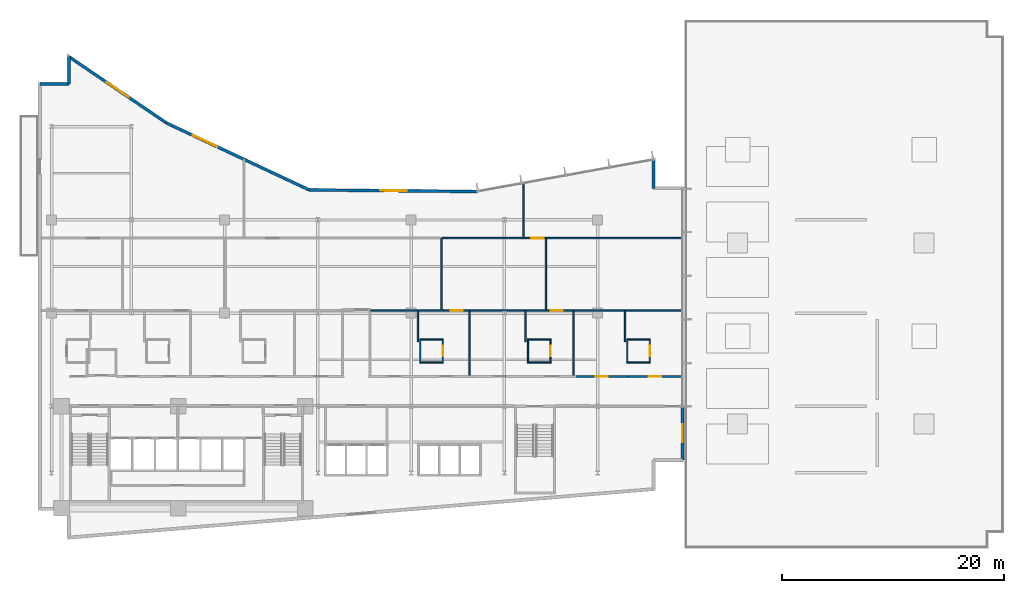
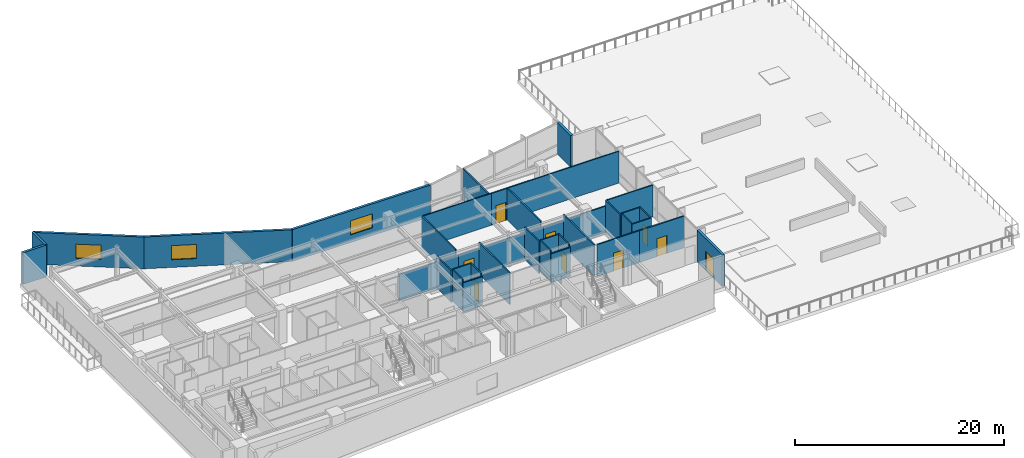
# One storey, part 13 of 20: 40 walls, 9 doors, 3 windows, 12 openings.
"""IFC4 building model written with IfcOpenShell, lengths in metres."""

from ifc_helpers import new_model, si_unit, direction, frame, frame_2d, origin, place, context, subcontext, project, spatial, rectangle, extrude, material, layer, layer_set, type_object, element, fill, save


model = new_model("IFC4")

# Units and contexts
model_context = context("Model", 3, precision=1e-05, world=origin(), true_north=direction((0.0, 1.0)))
body_context = subcontext(model_context, "Body", "Model", "MODEL_VIEW")
ifc_project = project(units=[si_unit("LENGTHUNIT", "METRE"), si_unit("AREAUNIT", "SQUARE_METRE"), si_unit("VOLUMEUNIT", "CUBIC_METRE"), si_unit("PLANEANGLEUNIT", "RADIAN"), si_unit("MASSUNIT", "GRAM", prefix="KILO")], contexts=[model_context])

# Site, building, storey
site_placement = place(None, origin())
site = spatial("IfcSite", under=ifc_project, at=site_placement, CompositionType="ELEMENT")
building_placement = place(site_placement, origin())
building = spatial("IfcBuilding", under=site, at=building_placement, Name="Varnakote Quay Hospital", CompositionType="ELEMENT")
storey_placement = place(building_placement, frame((0.0, 0.0, 22.5)))
storey = spatial("IfcBuildingStorey", under=building, at=storey_placement, Name="L05", CompositionType="ELEMENT", Elevation=22.5)

# Walls
ifc_material_1 = material(Name="Moisture-resistant bathroom partition", Category="gypsum")
ifc_layer_1 = layer(ifc_material_1, 0.114990234375)
ifc_layer_set_1 = layer_set([ifc_layer_1], Name="Moisture-resistant bathroom partition")
wall_type_1 = type_object("IfcWallType", Name="WL-ENS-115", PredefinedType="PARTITIONING", material=ifc_layer_set_1)
wall_1_placement = place(storey_placement, frame((34.35498046875, 15.952392578125, 0.0), z_axis=(0.0, 0.0, 1.0), x_axis=(1.0, 0.0, 0.0)))
element("IfcWall", 1, at=wall_1_placement, inside=storey, type_object=wall_type_1, Name="L05 Inpatient En-Suite Bathroom 04 S Wall", PredefinedType="PARTITIONING", context=body_context, shape_type="SweptSolid", body=[
    extrude(rectangle(XDim=2.14990234375, YDim=0.114990234375, at=frame_2d((1.074951171875, 0.0))), origin(), (0.0, 0.0, 1.0), 3.381103515625),
])
wall_2_placement = place(storey_placement, frame((34.35498046875, 18.017578125, 0.0), z_axis=(0.0, 0.0, 1.0), x_axis=(1.0, 0.0, 0.0)))
element("IfcWall", 2, at=wall_2_placement, inside=storey, type_object=wall_type_1, Name="L05 Inpatient En-Suite Bathroom 04 N Wall", PredefinedType="PARTITIONING", context=body_context, shape_type="SweptSolid", body=[
    extrude(rectangle(XDim=2.14990234375, YDim=0.114990234375, at=frame_2d((1.074951171875, 0.0))), origin(), (0.0, 0.0, 1.0), 3.7099609375),
])
wall_3_placement = place(storey_placement, frame((34.41259765625, 16.010009765625, 0.0), z_axis=(0.0, 0.0, 1.0), x_axis=(0.0, 1.0, 0.0)))
element("IfcWall", 3, at=wall_3_placement, inside=storey, type_object=wall_type_1, Name="L05 Inpatient En-Suite Bathroom 04 W Wall", PredefinedType="PARTITIONING", context=body_context, shape_type="SweptSolid", body=[
    extrude(rectangle(XDim=1.949951171875, YDim=0.114990234375, at=frame_2d((0.97509765625, 0.0))), origin(), (0.0, 0.0, 1.0), 3.7099609375),
])

# Wall, opening, door
wall_4_placement = place(storey_placement, frame((36.447509765625, 16.010009765625, 0.0), z_axis=(0.0, 0.0, 1.0), x_axis=(0.0, 1.0, 0.0)))
wall_4 = element("IfcWall", 4, at=wall_4_placement, inside=storey, type_object=wall_type_1, Name="L05 Inpatient En-Suite Bathroom 04 E Wall", PredefinedType="PARTITIONING", context=body_context, shape_type="SweptSolid", body=[
    extrude(rectangle(XDim=1.949951171875, YDim=0.114990234375, at=frame_2d((0.97509765625, 0.0))), origin(), (0.0, 0.0, 1.0), 3.7099609375),
])
opening_1_placement = place(wall_4_placement, frame((0.514892578125, 0.0, 0.0)))
opening_1 = element("IfcOpeningElement", 5, at=opening_1_placement, cuts=wall_4, Name="Opening D-L05-ENS04", PredefinedType="OPENING", context=body_context, shape_type="SweptSolid", body=[
    extrude(rectangle(XDim=0.919921875, YDim=2.10009765625, at=frame_2d((0.4599609375, 1.050048828125))), frame((0.0, 0.0673828125, 0.0), z_axis=(0.0, -1.0, 0.0), x_axis=(1.0, 0.0, 0.0)), (0.0, 0.0, 1.0), 0.135009765625),
])
ifc_material_2 = material(Name="Moisture-sealed en-suite bathroom door")
door_type_1 = type_object("IfcDoorType", Name="DR-ENS-920x2100", OperationType="NOTDEFINED", PredefinedType="DOOR", material=ifc_material_2)
door_1_placement = place(opening_1_placement, origin())
door_1 = element("IfcDoor", 6, at=door_1_placement, inside=storey, type_object=door_type_1, Name="L05 Inpatient En-Suite Bathroom 04 Door", OperationType="SINGLE_SWING_RIGHT", OverallHeight=2.10009765625, OverallWidth=0.919921875, PredefinedType="DOOR", context=body_context, shape_type="SweptSolid", body=[
    extrude(rectangle(XDim=0.919921875, YDim=2.10009765625, at=frame_2d((0.4599609375, 1.050048828125))), frame((0.0, 0.02490234375, 0.0), z_axis=(0.0, -1.0, 0.0), x_axis=(1.0, 0.0, 0.0)), (0.0, 0.0, 1.0), 0.050048828125),
])
fill(opening_1, door_1)

# Walls
wall_5_placement = place(storey_placement, frame((44.054931640625, 15.952392578125, 0.0), z_axis=(0.0, 0.0, 1.0), x_axis=(1.0, 0.0, 0.0)))
element("IfcWall", 7, at=wall_5_placement, inside=storey, type_object=wall_type_1, Name="L05 Inpatient En-Suite Bathroom 05 S Wall", PredefinedType="PARTITIONING", context=body_context, shape_type="SweptSolid", body=[
    extrude(rectangle(XDim=2.150146484375, YDim=0.114990234375, at=frame_2d((1.0751953125, 0.0))), origin(), (0.0, 0.0, 1.0), 3.381103515625),
])
wall_6_placement = place(storey_placement, frame((44.054931640625, 18.017578125, 0.0), z_axis=(0.0, 0.0, 1.0), x_axis=(1.0, 0.0, 0.0)))
element("IfcWall", 8, at=wall_6_placement, inside=storey, type_object=wall_type_1, Name="L05 Inpatient En-Suite Bathroom 05 N Wall", PredefinedType="PARTITIONING", context=body_context, shape_type="SweptSolid", body=[
    extrude(rectangle(XDim=2.150146484375, YDim=0.114990234375, at=frame_2d((1.0751953125, 0.0))), origin(), (0.0, 0.0, 1.0), 3.7099609375),
])
wall_7_placement = place(storey_placement, frame((44.112548828125, 16.010009765625, 0.0), z_axis=(0.0, 0.0, 1.0), x_axis=(0.0, 1.0, 0.0)))
element("IfcWall", 9, at=wall_7_placement, inside=storey, type_object=wall_type_1, Name="L05 Inpatient En-Suite Bathroom 05 W Wall", PredefinedType="PARTITIONING", context=body_context, shape_type="SweptSolid", body=[
    extrude(rectangle(XDim=1.949951171875, YDim=0.114990234375, at=frame_2d((0.97509765625, 0.0))), origin(), (0.0, 0.0, 1.0), 3.7099609375),
])

# Wall, opening, door
wall_8_placement = place(storey_placement, frame((46.1474609375, 16.010009765625, 0.0), z_axis=(0.0, 0.0, 1.0), x_axis=(0.0, 1.0, 0.0)))
wall_8 = element("IfcWall", 10, at=wall_8_placement, inside=storey, type_object=wall_type_1, Name="L05 Inpatient En-Suite Bathroom 05 E Wall", PredefinedType="PARTITIONING", context=body_context, shape_type="SweptSolid", body=[
    extrude(rectangle(XDim=1.949951171875, YDim=0.114990234375, at=frame_2d((0.97509765625, 0.0))), origin(), (0.0, 0.0, 1.0), 3.7099609375),
])
opening_2_placement = place(wall_8_placement, frame((0.514892578125, 0.0, 0.0)))
opening_2 = element("IfcOpeningElement", 11, at=opening_2_placement, cuts=wall_8, Name="Opening D-L05-ENS05", PredefinedType="OPENING", context=body_context, shape_type="SweptSolid", body=[
    extrude(rectangle(XDim=0.919921875, YDim=2.10009765625, at=frame_2d((0.4599609375, 1.050048828125))), frame((0.0, 0.0673828125, 0.0), z_axis=(0.0, -1.0, 0.0), x_axis=(1.0, 0.0, 0.0)), (0.0, 0.0, 1.0), 0.135009765625),
])
door_2_placement = place(opening_2_placement, origin())
door_2 = element("IfcDoor", 12, at=door_2_placement, inside=storey, type_object=door_type_1, Name="L05 Inpatient En-Suite Bathroom 05 Door", OperationType="SINGLE_SWING_LEFT", OverallHeight=2.10009765625, OverallWidth=0.919921875, PredefinedType="DOOR", context=body_context, shape_type="SweptSolid", body=[
    extrude(rectangle(XDim=0.919921875, YDim=2.10009765625, at=frame_2d((0.4599609375, 1.050048828125))), frame((0.0, 0.02490234375, 0.0), z_axis=(0.0, -1.0, 0.0), x_axis=(1.0, 0.0, 0.0)), (0.0, 0.0, 1.0), 0.050048828125),
])
fill(opening_2, door_2)

# Walls
for number, where, z_axis, x_axis, name in (
    (13, (53.0048828125, 15.952392578125, 0.0), (0.0, 0.0, 1.0), (1.0, 0.0, 0.0), "L05 Inpatient En-Suite Bathroom 06 S Wall"),
    (14, (53.0048828125, 18.017578125, 0.0), (0.0, 0.0, 1.0), (1.0, 0.0, 0.0), "L05 Inpatient En-Suite Bathroom 06 N Wall"),
):
    element("IfcWall", number, at=place(storey_placement, frame(where, z_axis=z_axis, x_axis=x_axis)), inside=storey, type_object=wall_type_1, Name=name, PredefinedType="PARTITIONING", context=body_context, shape_type="SweptSolid", body=[
        extrude(rectangle(XDim=2.150146484375, YDim=0.114990234375, at=frame_2d((1.0751953125, 0.0))), origin(), (0.0, 0.0, 1.0), 3.7099609375),
    ])
wall_9_placement = place(storey_placement, frame((53.0625, 16.010009765625, 0.0), z_axis=(0.0, 0.0, 1.0), x_axis=(0.0, 1.0, 0.0)))
element("IfcWall", 15, at=wall_9_placement, inside=storey, type_object=wall_type_1, Name="L05 Inpatient En-Suite Bathroom 06 W Wall", PredefinedType="PARTITIONING", context=body_context, shape_type="SweptSolid", body=[
    extrude(rectangle(XDim=1.949951171875, YDim=0.114990234375, at=frame_2d((0.97509765625, 0.0))), origin(), (0.0, 0.0, 1.0), 3.7099609375),
])

# Wall, opening, door
wall_10_placement = place(storey_placement, frame((55.097412109375, 16.010009765625, 0.0), z_axis=(0.0, 0.0, 1.0), x_axis=(0.0, 1.0, 0.0)))
wall_10 = element("IfcWall", 16, at=wall_10_placement, inside=storey, type_object=wall_type_1, Name="L05 Inpatient En-Suite Bathroom 06 E Wall", PredefinedType="PARTITIONING", context=body_context, shape_type="SweptSolid", body=[
    extrude(rectangle(XDim=1.949951171875, YDim=0.114990234375, at=frame_2d((0.97509765625, 0.0))), origin(), (0.0, 0.0, 1.0), 3.7099609375),
])
opening_3_placement = place(wall_10_placement, frame((0.514892578125, 0.0, 0.0)))
opening_3 = element("IfcOpeningElement", 17, at=opening_3_placement, cuts=wall_10, Name="Opening D-L05-ENS06", PredefinedType="OPENING", context=body_context, shape_type="SweptSolid", body=[
    extrude(rectangle(XDim=0.919921875, YDim=2.10009765625, at=frame_2d((0.4599609375, 1.050048828125))), frame((0.0, 0.0673828125, 0.0), z_axis=(0.0, -1.0, 0.0), x_axis=(1.0, 0.0, 0.0)), (0.0, 0.0, 1.0), 0.135009765625),
])
door_3_placement = place(opening_3_placement, origin())
door_3 = element("IfcDoor", 18, at=door_3_placement, inside=storey, type_object=door_type_1, Name="L05 Inpatient En-Suite Bathroom 06 Door", OperationType="SINGLE_SWING_RIGHT", OverallHeight=2.10009765625, OverallWidth=0.919921875, PredefinedType="DOOR", context=body_context, shape_type="SweptSolid", body=[
    extrude(rectangle(XDim=0.919921875, YDim=2.10009765625, at=frame_2d((0.4599609375, 1.050048828125))), frame((0.0, 0.02490234375, 0.0), z_axis=(0.0, -1.0, 0.0), x_axis=(1.0, 0.0, 0.0)), (0.0, 0.0, 1.0), 0.050048828125),
])
fill(opening_3, door_3)

ifc_material_3 = material(Name="Precast concrete N50 (f'c 50 MPa)", Category="concrete")
ifc_layer_2 = layer(ifc_material_3, 0.260009765625)
ifc_layer_set_2 = layer_set([ifc_layer_2], Name="Precast concrete N50 (f'c 50 MPa)")
wall_type_2 = type_object("IfcWallType", Name="WL-EXT-BRICK-260", PredefinedType="STANDARD", material=ifc_layer_set_2)
wall_11_placement = place(storey_placement, frame((58.0400390625, 7.159912109375, 0.0), z_axis=(0.0, 0.0, 1.0), x_axis=(0.0, 1.0, 0.0)))
wall_11 = element("IfcWall", 19, at=wall_11_placement, inside=storey, type_object=wall_type_2, Name="L05 East Podium Setback Roof Portal Wall", PredefinedType="STANDARD", context=body_context, shape_type="SweptSolid", body=[
    extrude(rectangle(XDim=4.80517578125, YDim=0.260009765625, at=frame_2d((2.402587890625, 0.0))), origin(), (0.0, 0.0, 1.0), 3.7099609375),
])
opening_4_placement = place(wall_11_placement, frame((1.6025390625, 0.0, 0.0)))
opening_4 = element("IfcOpeningElement", 20, at=opening_4_placement, cuts=wall_11, Name="Opening DRF-L05-01", PredefinedType="OPENING", context=body_context, shape_type="SweptSolid", body=[
    extrude(rectangle(XDim=1.60009765625, YDim=2.199951171875, at=frame_2d((0.800048828125, 1.10009765625))), frame((0.0, 0.139892578125, 0.0), z_axis=(0.0, -1.0, 0.0), x_axis=(1.0, 0.0, 0.0)), (0.0, 0.0, 1.0), 0.280029296875),
])
ifc_material_4 = material(Name="Galvanised steel acoustic exit door", Category="steel")
door_type_2 = type_object("IfcDoorType", Name="DR-EXT-EXIT-1600x2200", OperationType="NOTDEFINED", PredefinedType="DOOR", material=ifc_material_4)
door_4_placement = place(opening_4_placement, origin())
door_4 = element("IfcDoor", 21, at=door_4_placement, inside=storey, type_object=door_type_2, Name="L05 Podium Skylight Maintenance Roof Access Door", OperationType="SINGLE_SWING_RIGHT", OverallHeight=2.199951171875, OverallWidth=1.60009765625, PredefinedType="DOOR", context=body_context, shape_type="SweptSolid", body=[
    extrude(rectangle(XDim=1.60009765625, YDim=2.199951171875, at=frame_2d((0.800048828125, 1.10009765625))), frame((0.0, 0.02490234375, 0.0), z_axis=(0.0, -1.0, 0.0), x_axis=(1.0, 0.0, 0.0)), (0.0, 0.0, 1.0), 0.050048828125),
])
fill(opening_4, door_4)

# Wall
wall_12_placement = place(storey_placement, frame((55.43994140625, 31.639892578125, 0.0), z_axis=(0.0, 0.0, 1.0), x_axis=(0.0, 1.0, 0.0)))
element("IfcWall", 22, at=wall_12_placement, inside=storey, type_object=wall_type_2, Name="L05 Brick-Faced Precast Exterior Wall", PredefinedType="STANDARD", context=body_context, shape_type="SweptSolid", body=[
    extrude(rectangle(XDim=2.568603515625, YDim=0.260009765625, at=frame_2d((1.2841796875, 0.0))), origin(), (0.0, 0.0, 1.0), 3.7099609375),
])

# Wall, opening, window
wall_13_placement = place(storey_placement, frame((39.589599609375, 31.343994140625, 0.0), z_axis=(0.0, 0.0, 1.0), x_axis=(-0.999952362926, 0.009760731435, 0.0)))
wall_13 = element("IfcWall", 23, at=wall_13_placement, inside=storey, type_object=wall_type_2, Name="L05 Brick-Faced Precast Exterior Wall", PredefinedType="STANDARD", context=body_context, shape_type="SweptSolid", body=[
    extrude(rectangle(XDim=15.1826171875, YDim=0.260009765625, at=frame_2d((7.59130859375, 0.0))), origin(), (0.0, 0.0, 1.0), 3.7099609375),
])
opening_5_placement = place(wall_13_placement, frame((6.391357421875, 0.0, 0.89990234375)))
opening_5 = element("IfcOpeningElement", 24, at=opening_5_placement, cuts=wall_13, Name="Opening WN-0031", PredefinedType="OPENING", context=body_context, shape_type="SweptSolid", body=[
    extrude(rectangle(XDim=2.39990234375, YDim=1.64990234375, at=frame_2d((1.199951171875, 0.824951171875))), frame((0.0, 0.139892578125, 0.0), z_axis=(0.0, -1.0, 0.0), x_axis=(1.0, 0.0, 0.0)), (0.0, 0.0, 1.0), 0.280029296875),
])
ifc_material_5 = material(Name="Double-glazed low-E solar glass", Category="glass")
window_type = type_object("IfcWindowType", Name="WIN-CLIN-2400x1650", PartitioningType="SINGLE_PANEL", PredefinedType="WINDOW", material=ifc_material_5)
window_1_placement = place(opening_5_placement, origin())
window_1 = element("IfcWindow", 25, at=window_1_placement, inside=storey, type_object=window_type, Name="L05 Solar-Control Clinical Window", OverallHeight=1.64990234375, OverallWidth=2.39990234375, PartitioningType="SINGLE_PANEL", PredefinedType="WINDOW", context=body_context, shape_type="SweptSolid", body=[
    extrude(rectangle(XDim=2.39990234375, YDim=1.64990234375, at=frame_2d((1.199951171875, 0.824951171875))), frame((0.0, 0.030029296875, 0.0), z_axis=(0.0, -1.0, 0.0), x_axis=(1.0, 0.0, 0.0)), (0.0, 0.0, 1.0), 0.06005859375),
])
fill(opening_5, window_1)

wall_14_placement = place(storey_placement, frame((24.40771484375, 31.4921875, 0.0), z_axis=(0.0, 0.0, 1.0), x_axis=(-0.905396522918, 0.424566998585, 0.0)))
wall_14 = element("IfcWall", 26, at=wall_14_placement, inside=storey, type_object=wall_type_2, Name="L05 Brick-Faced Precast Exterior Wall", PredefinedType="STANDARD", context=body_context, shape_type="SweptSolid", body=[
    extrude(rectangle(XDim=14.189453125, YDim=0.260009765625, at=frame_2d((7.0947265625, 0.0))), origin(), (0.0, 0.0, 1.0), 3.7099609375),
])
opening_6_placement = place(wall_14_placement, frame((9.14501953125, 0.0, 0.89990234375)))
opening_6 = element("IfcOpeningElement", 27, at=opening_6_placement, cuts=wall_14, Name="Opening WN-0032", PredefinedType="OPENING", context=body_context, shape_type="SweptSolid", body=[
    extrude(rectangle(XDim=2.39990234375, YDim=1.64990234375, at=frame_2d((1.199951171875, 0.824951171875))), frame((0.0, 0.139892578125, 0.0), z_axis=(0.0, -1.0, 0.0), x_axis=(1.0, 0.0, 0.0)), (0.0, 0.0, 1.0), 0.280029296875),
])
window_2_placement = place(opening_6_placement, origin())
window_2 = element("IfcWindow", 28, at=window_2_placement, inside=storey, type_object=window_type, Name="L05 Solar-Control Clinical Window", OverallHeight=1.64990234375, OverallWidth=2.39990234375, PartitioningType="SINGLE_PANEL", PredefinedType="WINDOW", context=body_context, shape_type="SweptSolid", body=[
    extrude(rectangle(XDim=2.39990234375, YDim=1.64990234375, at=frame_2d((1.199951171875, 0.824951171875))), frame((0.0, 0.030029296875, 0.0), z_axis=(0.0, -1.0, 0.0), x_axis=(1.0, 0.0, 0.0)), (0.0, 0.0, 1.0), 0.06005859375),
])
fill(opening_6, window_2)

wall_15_placement = place(storey_placement, frame((11.560546875, 37.5166015625, 0.0), z_axis=(0.0, 0.0, 1.0), x_axis=(-0.827064743936, 0.562106670782, 0.0)))
wall_15 = element("IfcWall", 29, at=wall_15_placement, inside=storey, type_object=wall_type_2, Name="L05 Brick-Faced Precast Exterior Wall", PredefinedType="STANDARD", context=body_context, shape_type="SweptSolid", body=[
    extrude(rectangle(XDim=10.640625, YDim=0.260009765625, at=frame_2d((5.3203125, 0.0))), origin(), (0.0, 0.0, 1.0), 3.7099609375),
])
opening_7_placement = place(wall_15_placement, frame((4.120361328125, 0.0, 0.89990234375)))
opening_7 = element("IfcOpeningElement", 30, at=opening_7_placement, cuts=wall_15, Name="Opening WN-0033", PredefinedType="OPENING", context=body_context, shape_type="SweptSolid", body=[
    extrude(rectangle(XDim=2.39990234375, YDim=1.64990234375, at=frame_2d((1.199951171875, 0.824951171875))), frame((0.0, 0.139892578125, 0.0), z_axis=(0.0, -1.0, 0.0), x_axis=(1.0, 0.0, 0.0)), (0.0, 0.0, 1.0), 0.280029296875),
])
window_3_placement = place(opening_7_placement, origin())
window_3 = element("IfcWindow", 31, at=window_3_placement, inside=storey, type_object=window_type, Name="L05 Solar-Control Clinical Window", OverallHeight=1.64990234375, OverallWidth=2.39990234375, PartitioningType="SINGLE_PANEL", PredefinedType="WINDOW", context=body_context, shape_type="SweptSolid", body=[
    extrude(rectangle(XDim=2.39990234375, YDim=1.64990234375, at=frame_2d((1.199951171875, 0.824951171875))), frame((0.0, 0.030029296875, 0.0), z_axis=(0.0, -1.0, 0.0), x_axis=(1.0, 0.0, 0.0)), (0.0, 0.0, 1.0), 0.06005859375),
])
fill(opening_7, window_3)

# Walls
wall_16_placement = place(storey_placement, frame((2.760009765625, 43.497802734375, 0.0), z_axis=(0.0, 0.0, 1.0), x_axis=(0.0, -1.0, 0.0)))
element("IfcWall", 32, at=wall_16_placement, inside=storey, type_object=wall_type_2, Name="L05 Brick-Faced Precast Exterior Wall", PredefinedType="STANDARD", context=body_context, shape_type="SweptSolid", body=[
    extrude(rectangle(XDim=2.457763671875, YDim=0.260009765625, at=frame_2d((1.22900390625, 0.0))), origin(), (0.0, 0.0, 1.0), 3.7099609375),
])
wall_17_placement = place(storey_placement, frame((2.760009765625, 41.0400390625, 0.0), z_axis=(0.0, 0.0, 1.0), x_axis=(-1.0, 0.0, 0.0)))
element("IfcWall", 33, at=wall_17_placement, inside=storey, type_object=wall_type_2, Name="L05 Brick-Faced Precast Exterior Wall", PredefinedType="STANDARD", context=body_context, shape_type="SweptSolid", body=[
    extrude(rectangle(XDim=2.60009765625, YDim=0.260009765625, at=frame_2d((1.300048828125, 0.0))), origin(), (0.0, 0.0, 1.0), 3.7099609375),
])
ifc_material_6 = material(Name="Smoke-proof clinical partition", Category="gypsum")
ifc_layer_3 = layer(ifc_material_6, 0.135009765625)
ifc_layer_set_3 = layer_set([ifc_layer_3], Name="Smoke-proof clinical partition")
wall_type_3 = type_object("IfcWallType", Name="WL-SMOKE-135", PredefinedType="PARTITIONING", material=ifc_layer_set_3)
wall_18_placement = place(storey_placement, frame((34.2099609375, 17.83251953125, 0.0), z_axis=(0.0, 0.0, 1.0), x_axis=(0.0, 1.0, 0.0)))
element("IfcWall", 34, at=wall_18_placement, inside=storey, type_object=wall_type_3, Name="L05 Clinical Interior Partition", PredefinedType="PARTITIONING", context=body_context, shape_type="SweptSolid", body=[
    extrude(rectangle(XDim=2.807373046875, YDim=0.135009765625, at=frame_2d((1.40380859375, 0.0))), origin(), (0.0, 0.0, 1.0), 3.7099609375),
])
wall_19_placement = place(storey_placement, frame((34.2099609375, 20.639892578125, 0.0), z_axis=(0.0, 0.0, 1.0), x_axis=(-1.0, 0.0, 0.0)))
element("IfcWall", 35, at=wall_19_placement, inside=storey, type_object=wall_type_3, Name="L05 Clinical Interior Partition", PredefinedType="PARTITIONING", context=body_context, shape_type="SweptSolid", body=[
    extrude(rectangle(XDim=4.244873046875, YDim=0.135009765625, at=frame_2d((2.12255859375, 0.0))), origin(), (0.0, 0.0, 1.0), 3.072998046875),
])
wall_20_placement = place(storey_placement, frame((38.8701171875, 14.760009765625, 0.0), z_axis=(0.0, 0.0, 1.0), x_axis=(0.0, 1.0, 0.0)))
element("IfcWall", 36, at=wall_20_placement, inside=storey, type_object=wall_type_3, Name="L05 Clinical Interior Partition", PredefinedType="PARTITIONING", context=body_context, shape_type="SweptSolid", body=[
    extrude(rectangle(XDim=5.8798828125, YDim=0.135009765625, at=frame_2d((2.93994140625, 0.0))), origin(), (0.0, 0.0, 1.0), 3.7099609375),
])
wall_21_placement = place(storey_placement, frame((36.527587890625, 20.639892578125, 0.0), z_axis=(0.0, 0.0, 1.0), x_axis=(-1.0, 0.0, 0.0)))
element("IfcWall", 37, at=wall_21_placement, inside=storey, type_object=wall_type_3, Name="L05 Clinical Interior Partition", PredefinedType="PARTITIONING", context=body_context, shape_type="SweptSolid", body=[
    extrude(rectangle(XDim=2.260009765625, YDim=0.135009765625, at=frame_2d((1.1298828125, 0.0))), origin(), (0.0, 0.0, 1.0), 3.072998046875),
])

# Wall, opening, door
wall_22_placement = place(storey_placement, frame((38.8701171875, 20.639892578125, 0.0), z_axis=(0.0, 0.0, 1.0), x_axis=(-1.0, 0.0, 0.0)))
wall_22 = element("IfcWall", 38, at=wall_22_placement, inside=storey, type_object=wall_type_3, Name="L05 Clinical Interior Partition", PredefinedType="PARTITIONING", context=body_context, shape_type="SweptSolid", body=[
    extrude(rectangle(XDim=2.340576171875, YDim=0.135009765625, at=frame_2d((1.17041015625, 0.0))), origin(), (0.0, 0.0, 1.0), 3.072998046875),
])
opening_8_placement = place(wall_22_placement, frame((0.6201171875, 0.0, 0.0)))
opening_8 = element("IfcOpeningElement", 39, at=opening_8_placement, cuts=wall_22, Name="Opening D-L05-MD08", PredefinedType="OPENING", context=body_context, shape_type="SweptSolid", body=[
    extrude(rectangle(XDim=1.10009765625, YDim=2.10009765625, at=frame_2d((0.550048828125, 1.050048828125))), frame((0.0, 0.077392578125, 0.0), z_axis=(0.0, -1.0, 0.0), x_axis=(1.0, 0.0, 0.0)), (0.0, 0.0, 1.0), 0.155029296875),
])
ifc_material_7 = material(Name="Acoustic timber clinical consult door", Category="wood")
door_type_3 = type_object("IfcDoorType", Name="DR-CLIN-FD30S-1100x2100", OperationType="NOTDEFINED", PredefinedType="DOOR", material=ifc_material_7)
door_5_placement = place(opening_8_placement, origin())
door_5 = element("IfcDoor", 40, at=door_5_placement, inside=storey, type_object=door_type_3, Name="L05 Case Review Meeting Room Door", OperationType="SINGLE_SWING_LEFT", OverallHeight=2.10009765625, OverallWidth=1.10009765625, PredefinedType="DOOR", context=body_context, shape_type="SweptSolid", body=[
    extrude(rectangle(XDim=1.10009765625, YDim=2.10009765625, at=frame_2d((0.550048828125, 1.050048828125))), frame((0.0, 0.02490234375, 0.0), z_axis=(0.0, -1.0, 0.0), x_axis=(1.0, 0.0, 0.0)), (0.0, 0.0, 1.0), 0.050048828125),
])
fill(opening_8, door_5)

# Walls
wall_23_placement = place(storey_placement, frame((43.909912109375, 17.83251953125, 0.0), z_axis=(0.0, 0.0, 1.0), x_axis=(0.0, 1.0, 0.0)))
element("IfcWall", 41, at=wall_23_placement, inside=storey, type_object=wall_type_3, Name="L05 Clinical Interior Partition", PredefinedType="PARTITIONING", context=body_context, shape_type="SweptSolid", body=[
    extrude(rectangle(XDim=2.807373046875, YDim=0.135009765625, at=frame_2d((1.40380859375, 0.0))), origin(), (0.0, 0.0, 1.0), 3.7099609375),
])
wall_24_placement = place(storey_placement, frame((43.909912109375, 20.639892578125, 0.0), z_axis=(0.0, 0.0, 1.0), x_axis=(-1.0, 0.0, 0.0)))
element("IfcWall", 42, at=wall_24_placement, inside=storey, type_object=wall_type_3, Name="L05 Clinical Interior Partition", PredefinedType="PARTITIONING", context=body_context, shape_type="SweptSolid", body=[
    extrude(rectangle(XDim=4.982421875, YDim=0.135009765625, at=frame_2d((2.4912109375, 0.0))), origin(), (0.0, 0.0, 1.0), 3.072998046875),
])
wall_25_placement = place(storey_placement, frame((48.199951171875, 14.760009765625, 0.0), z_axis=(0.0, 0.0, 1.0), x_axis=(0.0, 1.0, 0.0)))
element("IfcWall", 43, at=wall_25_placement, inside=storey, type_object=wall_type_3, Name="L05 Clinical Interior Partition", PredefinedType="PARTITIONING", context=body_context, shape_type="SweptSolid", body=[
    extrude(rectangle(XDim=5.8798828125, YDim=0.135009765625, at=frame_2d((2.93994140625, 0.0))), origin(), (0.0, 0.0, 1.0), 3.7099609375),
])
wall_26_placement = place(storey_placement, frame((45.9375, 20.639892578125, 0.0), z_axis=(0.0, 0.0, 1.0), x_axis=(-1.0, 0.0, 0.0)))
element("IfcWall", 44, at=wall_26_placement, inside=storey, type_object=wall_type_3, Name="L05 Clinical Interior Partition", PredefinedType="PARTITIONING", context=body_context, shape_type="SweptSolid", body=[
    extrude(rectangle(XDim=1.969970703125, YDim=0.135009765625, at=frame_2d((0.98486328125, 0.0))), origin(), (0.0, 0.0, 1.0), 3.072998046875),
])

# Wall, opening, door
wall_27_placement = place(storey_placement, frame((48.199951171875, 20.639892578125, 0.0), z_axis=(0.0, 0.0, 1.0), x_axis=(-1.0, 0.0, 0.0)))
wall_27 = element("IfcWall", 45, at=wall_27_placement, inside=storey, type_object=wall_type_3, Name="L05 Clinical Interior Partition", PredefinedType="PARTITIONING", context=body_context, shape_type="SweptSolid", body=[
    extrude(rectangle(XDim=2.260498046875, YDim=0.135009765625, at=frame_2d((1.13037109375, 0.0))), origin(), (0.0, 0.0, 1.0), 3.072998046875),
])
opening_9_placement = place(wall_27_placement, frame((0.94140625, 0.0, 0.0)))
opening_9 = element("IfcOpeningElement", 46, at=opening_9_placement, cuts=wall_27, Name="Opening D-L05-MD09", PredefinedType="OPENING", context=body_context, shape_type="SweptSolid", body=[
    extrude(rectangle(XDim=1.10009765625, YDim=2.10009765625, at=frame_2d((0.550048828125, 1.050048828125))), frame((0.0, 0.077392578125, 0.0), z_axis=(0.0, -1.0, 0.0), x_axis=(1.0, 0.0, 0.0)), (0.0, 0.0, 1.0), 0.155029296875),
])
door_6_placement = place(opening_9_placement, origin())
door_6 = element("IfcDoor", 47, at=door_6_placement, inside=storey, type_object=door_type_3, Name="L05 Clinical Diagnostics Seminar Room Door", OperationType="SINGLE_SWING_RIGHT", OverallHeight=2.10009765625, OverallWidth=1.10009765625, PredefinedType="DOOR", context=body_context, shape_type="SweptSolid", body=[
    extrude(rectangle(XDim=1.10009765625, YDim=2.10009765625, at=frame_2d((0.550048828125, 1.050048828125))), frame((0.0, 0.02490234375, 0.0), z_axis=(0.0, -1.0, 0.0), x_axis=(1.0, 0.0, 0.0)), (0.0, 0.0, 1.0), 0.050048828125),
])
fill(opening_9, door_6)

# Walls
wall_28_placement = place(storey_placement, frame((52.860107421875, 17.83251953125, 0.0), z_axis=(0.0, 0.0, 1.0), x_axis=(0.0, 1.0, 0.0)))
element("IfcWall", 48, at=wall_28_placement, inside=storey, type_object=wall_type_3, Name="L05 Clinical Interior Partition", PredefinedType="PARTITIONING", context=body_context, shape_type="SweptSolid", body=[
    extrude(rectangle(XDim=2.807373046875, YDim=0.135009765625, at=frame_2d((1.40380859375, 0.0))), origin(), (0.0, 0.0, 1.0), 3.7099609375),
])
wall_29_placement = place(storey_placement, frame((52.860107421875, 20.639892578125, 0.0), z_axis=(0.0, 0.0, 1.0), x_axis=(-1.0, 0.0, 0.0)))
element("IfcWall", 49, at=wall_29_placement, inside=storey, type_object=wall_type_3, Name="L05 Clinical Interior Partition", PredefinedType="PARTITIONING", context=body_context, shape_type="SweptSolid", body=[
    extrude(rectangle(XDim=4.6025390625, YDim=0.135009765625, at=frame_2d((2.30126953125, 0.0))), origin(), (0.0, 0.0, 1.0), 3.072998046875),
])
wall_30_placement = place(storey_placement, frame((58.0400390625, 20.639892578125, 0.0), z_axis=(0.0, 0.0, 1.0), x_axis=(-1.0, 0.0, 0.0)))
element("IfcWall", 50, at=wall_30_placement, inside=storey, type_object=wall_type_3, Name="L05 Clinical Interior Partition", PredefinedType="PARTITIONING", context=body_context, shape_type="SweptSolid", body=[
    extrude(rectangle(XDim=5.12255859375, YDim=0.135009765625, at=frame_2d((2.561279296875, 0.0))), origin(), (0.0, 0.0, 1.0), 3.7099609375),
])
for number, where, z_axis, x_axis, name in (
    (51, (36.320068359375, 20.697509765625, 0.0), (0.0, 0.0, 1.0), (0.0, 1.0, 0.0), "L05 Clinical Interior Partition"),
    (52, (45.72998046875, 20.697509765625, 0.0), (0.0, 0.0, 1.0), (0.0, 1.0, 0.0), "L05 Clinical Interior Partition"),
):
    element("IfcWall", number, at=place(storey_placement, frame(where, z_axis=z_axis, x_axis=x_axis)), inside=storey, type_object=wall_type_3, Name=name, PredefinedType="PARTITIONING", context=body_context, shape_type="SweptSolid", body=[
        extrude(rectangle(XDim=6.4423828125, YDim=0.135009765625, at=frame_2d((3.22119140625, 0.0))), origin(), (0.0, 0.0, 1.0), 3.7099609375),
    ])
wall_31_placement = place(storey_placement, frame((43.91748046875, 27.139892578125, 0.0), z_axis=(0.0, 0.0, 1.0), x_axis=(-1.0, 0.0, 0.0)))
element("IfcWall", 53, at=wall_31_placement, inside=storey, type_object=wall_type_3, Name="L05 Clinical Interior Partition", PredefinedType="PARTITIONING", context=body_context, shape_type="SweptSolid", body=[
    extrude(rectangle(XDim=7.5400390625, YDim=0.135009765625, at=frame_2d((3.77001953125, 0.0))), origin(), (0.0, 0.0, 1.0), 3.7099609375),
])

# Wall, opening, door
wall_32_placement = place(storey_placement, frame((45.72998046875, 27.139892578125, 0.0), z_axis=(0.0, 0.0, 1.0), x_axis=(-1.0, 0.0, 0.0)))
wall_32 = element("IfcWall", 54, at=wall_32_placement, inside=storey, type_object=wall_type_3, Name="L05 Clinical Interior Partition", PredefinedType="PARTITIONING", context=body_context, shape_type="SweptSolid", body=[
    extrude(rectangle(XDim=1.810546875, YDim=0.135009765625, at=frame_2d((0.9052734375, 0.0))), origin(), (0.0, 0.0, 1.0), 3.7099609375),
])
opening_10_placement = place(wall_32_placement, frame((0.207763671875, 0.0, 0.0)))
opening_10 = element("IfcOpeningElement", 55, at=opening_10_placement, cuts=wall_32, Name="Opening D-L05-MD12", PredefinedType="OPENING", context=body_context, shape_type="SweptSolid", body=[
    extrude(rectangle(XDim=1.10009765625, YDim=2.10009765625, at=frame_2d((0.550048828125, 1.050048828125))), frame((0.0, 0.077392578125, 0.0), z_axis=(0.0, -1.0, 0.0), x_axis=(1.0, 0.0, 0.0)), (0.0, 0.0, 1.0), 0.155029296875),
])
door_7_placement = place(opening_10_placement, origin())
door_7 = element("IfcDoor", 56, at=door_7_placement, inside=storey, type_object=door_type_3, Name="L05 Case Review Meeting Room Door", OperationType="SINGLE_SWING_LEFT", OverallHeight=2.10009765625, OverallWidth=1.10009765625, PredefinedType="DOOR", context=body_context, shape_type="SweptSolid", body=[
    extrude(rectangle(XDim=1.10009765625, YDim=2.10009765625, at=frame_2d((0.550048828125, 1.050048828125))), frame((0.0, 0.02490234375, 0.0), z_axis=(0.0, -1.0, 0.0), x_axis=(1.0, 0.0, 0.0)), (0.0, 0.0, 1.0), 0.050048828125),
])
fill(opening_10, door_7)

# Walls
wall_33_placement = place(storey_placement, frame((58.0400390625, 27.139892578125, 0.0), z_axis=(0.0, 0.0, 1.0), x_axis=(-1.0, 0.0, 0.0)))
element("IfcWall", 57, at=wall_33_placement, inside=storey, type_object=wall_type_3, Name="L05 Clinical Interior Partition", PredefinedType="PARTITIONING", context=body_context, shape_type="SweptSolid", body=[
    extrude(rectangle(XDim=12.25244140625, YDim=0.135009765625, at=frame_2d((6.126220703125, 0.0))), origin(), (0.0, 0.0, 1.0), 3.7099609375),
])
wall_34_placement = place(storey_placement, frame((43.7099609375, 27.197509765625, 0.0), z_axis=(0.0, 0.0, 1.0), x_axis=(0.0, 1.0, 0.0)))
element("IfcWall", 58, at=wall_34_placement, inside=storey, type_object=wall_type_3, Name="L05 Clinical Interior Partition", PredefinedType="PARTITIONING", context=body_context, shape_type="SweptSolid", body=[
    extrude(rectangle(XDim=4.890869140625, YDim=0.135009765625, at=frame_2d((2.4453125, 0.0))), origin(), (0.0, 0.0, 1.0), 3.7099609375),
])

# Wall, opening, door
ifc_material_8 = material(Name="Fire-rated clinical gypsum partition", Category="gypsum")
ifc_layer_4 = layer(ifc_material_8, 0.14990234375)
ifc_layer_set_4 = layer_set([ifc_layer_4], Name="Fire-rated clinical gypsum partition")
wall_type_4 = type_object("IfcWallType", Name="WL-WARD-150", PredefinedType="PARTITIONING", material=ifc_layer_set_4)
wall_35_placement = place(storey_placement, frame((53.0859375, 14.679931640625, 0.0), z_axis=(0.0, 0.0, 1.0), x_axis=(-1.0, 0.0, 0.0)))
wall_35 = element("IfcWall", 59, at=wall_35_placement, inside=storey, type_object=wall_type_4, Name="L05 Clinical Interior Partition", PredefinedType="PARTITIONING", context=body_context, shape_type="SweptSolid", body=[
    extrude(rectangle(XDim=4.657958984375, YDim=0.14990234375, at=frame_2d((2.3291015625, 0.0))), origin(), (0.0, 0.0, 1.0), 3.7099609375),
])
opening_11_placement = place(wall_35_placement, frame((1.779052734375, 0.0, 0.0)))
opening_11 = element("IfcOpeningElement", 60, at=opening_11_placement, cuts=wall_35, Name="Opening D-L05-MD06", PredefinedType="OPENING", context=body_context, shape_type="SweptSolid", body=[
    extrude(rectangle(XDim=1.10009765625, YDim=2.10009765625, at=frame_2d((0.550048828125, 1.050048828125))), frame((0.0, 0.0849609375, 0.0), z_axis=(0.0, -1.0, 0.0), x_axis=(1.0, 0.0, 0.0)), (0.0, 0.0, 1.0), 0.169921875),
])
door_8_placement = place(opening_11_placement, origin())
door_8 = element("IfcDoor", 61, at=door_8_placement, inside=storey, type_object=door_type_3, Name="L05 Allied Health Assessment Office Door", OperationType="SINGLE_SWING_RIGHT", OverallHeight=2.10009765625, OverallWidth=1.10009765625, PredefinedType="DOOR", context=body_context, shape_type="SweptSolid", body=[
    extrude(rectangle(XDim=1.10009765625, YDim=2.10009765625, at=frame_2d((0.550048828125, 1.050048828125))), frame((0.0, 0.02490234375, 0.0), z_axis=(0.0, -1.0, 0.0), x_axis=(1.0, 0.0, 0.0)), (0.0, 0.0, 1.0), 0.050048828125),
])
fill(opening_11, door_8)

wall_36_placement = place(storey_placement, frame((58.0400390625, 14.679931640625, 0.0), z_axis=(0.0, 0.0, 1.0), x_axis=(-1.0, 0.0, 0.0)))
wall_36 = element("IfcWall", 62, at=wall_36_placement, inside=storey, type_object=wall_type_4, Name="L05 Clinical Interior Partition", PredefinedType="PARTITIONING", context=body_context, shape_type="SweptSolid", body=[
    extrude(rectangle(XDim=4.9521484375, YDim=0.14990234375, at=frame_2d((2.47607421875, 0.0))), origin(), (0.0, 0.0, 1.0), 3.7099609375),
])
opening_12_placement = place(wall_36_placement, frame((1.926025390625, 0.0, 0.0)))
opening_12 = element("IfcOpeningElement", 63, at=opening_12_placement, cuts=wall_36, Name="Opening D-L05-BR06", PredefinedType="OPENING", context=body_context, shape_type="SweptSolid", body=[
    extrude(rectangle(XDim=1.10009765625, YDim=2.10009765625, at=frame_2d((0.550048828125, 1.050048828125))), frame((0.0, 0.0849609375, 0.0), z_axis=(0.0, -1.0, 0.0), x_axis=(1.0, 0.0, 0.0)), (0.0, 0.0, 1.0), 0.169921875),
])
door_9_placement = place(opening_12_placement, origin())
door_9 = element("IfcDoor", 64, at=door_9_placement, inside=storey, type_object=door_type_3, Name="L05 Inpatient Clinical Treatment Room 06 Door", OperationType="SINGLE_SWING_LEFT", OverallHeight=2.10009765625, OverallWidth=1.10009765625, PredefinedType="DOOR", context=body_context, shape_type="SweptSolid", body=[
    extrude(rectangle(XDim=1.10009765625, YDim=2.10009765625, at=frame_2d((0.550048828125, 1.050048828125))), frame((0.0, 0.02490234375, 0.0), z_axis=(0.0, -1.0, 0.0), x_axis=(1.0, 0.0, 0.0)), (0.0, 0.0, 1.0), 0.050048828125),
])
fill(opening_12, door_9)

save(model, "model.ifc")
